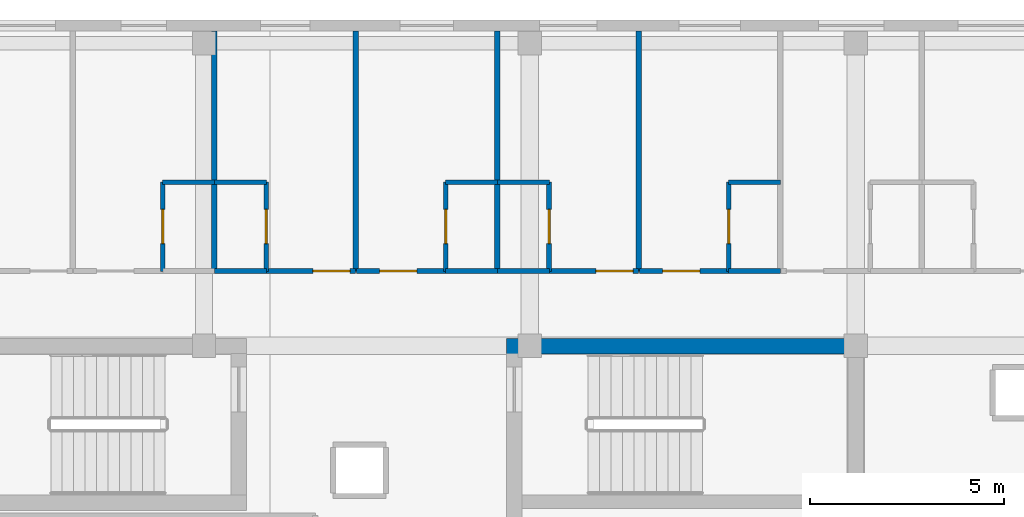
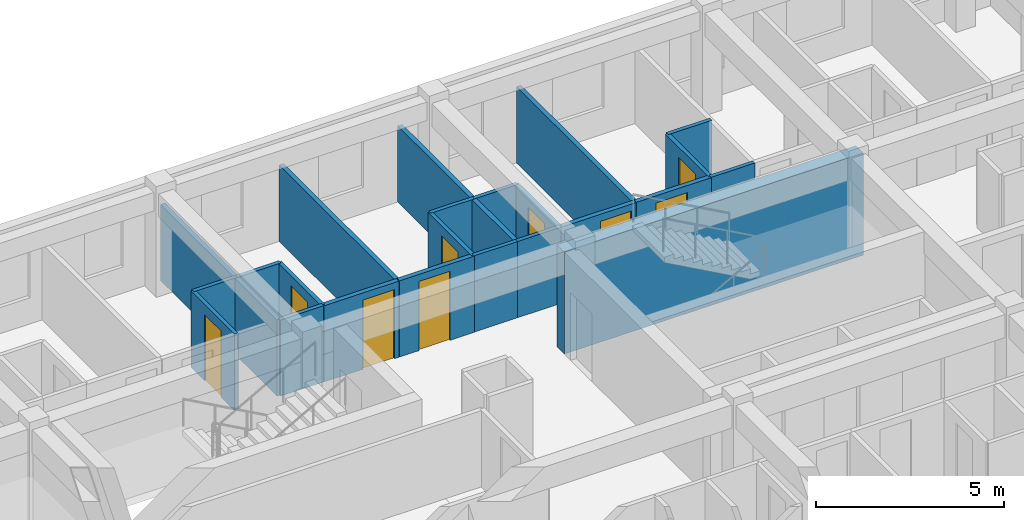
# One storey, part 6 of 10: 23 walls, 9 doors, 9 openings.
"""IFC4 building model written with IfcOpenShell, lengths in metres."""

from ifc_helpers import new_model, si_unit, direction, frame, frame_2d, origin, place, context, subcontext, project, spatial, rectangle, extrude, material, layer, layer_set, type_object, element, fill, save


model = new_model("IFC4")

# Units and contexts
model_context = context("Model", 3, precision=1e-05, world=origin(), true_north=direction((0.0, 1.0)))
body_context = subcontext(model_context, "Body", "Model", "MODEL_VIEW")
ifc_project = project(units=[si_unit("LENGTHUNIT", "METRE"), si_unit("AREAUNIT", "SQUARE_METRE"), si_unit("VOLUMEUNIT", "CUBIC_METRE"), si_unit("PLANEANGLEUNIT", "RADIAN"), si_unit("MASSUNIT", "GRAM", prefix="KILO")], contexts=[model_context])

# Site, building, storey
site_placement = place(None, origin())
site = spatial("IfcSite", under=ifc_project, at=site_placement, CompositionType="ELEMENT")
building_placement = place(site_placement, origin())
building = spatial("IfcBuilding", under=site, at=building_placement, Name="Zayran Congress Hotel", CompositionType="ELEMENT")
storey_placement = place(building_placement, frame((0.0, 0.0, 33.60009765625)))
storey = spatial("IfcBuildingStorey", under=building, at=storey_placement, Name="L08", CompositionType="ELEMENT", Elevation=33.60009765625)

# Wall
ifc_material_1 = material(Name="Concrete C40/50", Category="concrete")
ifc_layer_1 = layer(ifc_material_1, 0.39990234375)
ifc_layer_set_1 = layer_set([ifc_layer_1], Name="Concrete C40/50")
wall_type_1 = type_object("IfcWallType", Name="WL-SH-400", PredefinedType="SHEAR", material=ifc_layer_set_1)
wall_1_placement = place(storey_placement, frame((59.0, 25.5849609375, 0.0), z_axis=(0.0, 0.0, 1.0), x_axis=(-1.0, 0.0, 0.0)))
element("IfcWall", 1, at=wall_1_placement, inside=storey, type_object=wall_type_1, Name="CWALL-C-V5E-L08-N", PredefinedType="SHEAR", context=body_context, shape_type="SweptSolid", body=[
    extrude(rectangle(XDim=9.199951171875, YDim=0.39990234375, at=frame_2d((4.60009765625, 0.0))), origin(), (0.0, 0.0, 1.0), 3.31982421875),
])

# Wall, opening, door
ifc_material_2 = material(Name="Hospitality guestroom acoustic partition", Category="gypsum")
ifc_layer_2 = layer(ifc_material_2, 0.139892578125)
ifc_layer_set_2 = layer_set([ifc_layer_2], Name="Hospitality guestroom acoustic partition")
wall_type_2 = type_object("IfcWallType", Name="WL-PT-140", PredefinedType="PARTITIONING", material=ifc_layer_set_2)
wall_2_placement = place(storey_placement, frame((43.60107421875, 27.530029296875, 0.0), z_axis=(0.0, 0.0, 1.0), x_axis=(1.0, 0.0, 0.0)))
wall_2 = element("IfcWall", 2, at=wall_2_placement, inside=storey, type_object=wall_type_2, Name="IW-L08-0775", PredefinedType="PARTITIONING", context=body_context, shape_type="SweptSolid", body=[
    extrude(rectangle(XDim=2.306884765625, YDim=0.139892578125, at=frame_2d((1.1533203125, 0.0))), origin(), (0.0, 0.0, 1.0), 2.47998046875),
])
opening_1_placement = place(wall_2_placement, frame((1.20703125, 0.0, 0.0)))
opening_1 = element("IfcOpeningElement", 3, at=opening_1_placement, cuts=wall_2, Name="Opening DR-GR-03", PredefinedType="OPENING", context=body_context, shape_type="SweptSolid", body=[
    extrude(rectangle(XDim=0.9599609375, YDim=2.25, at=frame_2d((0.47998046875, 1.125))), frame((0.0, 0.079833984375, 0.0), z_axis=(0.0, -1.0, 0.0), x_axis=(1.0, 0.0, 0.0)), (0.0, 0.0, 1.0), 0.159912109375),
])
ifc_material_3 = material(Name="Executive walnut veneer entry door", Category="wood")
door_type_1 = type_object("IfcDoorType", Name="TP-DR-GR-03", OperationType="NOTDEFINED", PredefinedType="DOOR", material=ifc_material_3)
door_1_placement = place(opening_1_placement, origin())
door_1 = element("IfcDoor", 4, at=door_1_placement, inside=storey, type_object=door_type_1, Name="Guest Room L08-18 Door", OperationType="SINGLE_SWING_RIGHT", OverallHeight=2.25, OverallWidth=0.9599609375, PredefinedType="DOOR", context=body_context, shape_type="SweptSolid", body=[
    extrude(rectangle(XDim=0.9599609375, YDim=2.25, at=frame_2d((0.47998046875, 1.125))), frame((0.0, 0.02490234375, 0.0), z_axis=(0.0, -1.0, 0.0), x_axis=(1.0, 0.0, 0.0)), (0.0, 0.0, 1.0), 0.050048828125),
])
fill(opening_1, door_1)

wall_3_placement = place(storey_placement, frame((45.927978515625, 27.530029296875, 0.0), z_axis=(0.0, 0.0, 1.0), x_axis=(1.0, 0.0, 0.0)))
wall_3 = element("IfcWall", 5, at=wall_3_placement, inside=storey, type_object=wall_type_2, Name="IW-L08-0776", PredefinedType="PARTITIONING", context=body_context, shape_type="SweptSolid", body=[
    extrude(rectangle(XDim=2.30810546875, YDim=0.139892578125, at=frame_2d((1.154052734375, 0.0))), origin(), (0.0, 0.0, 1.0), 2.47998046875),
])
opening_2_placement = place(wall_3_placement, frame((0.597900390625, 0.0, 0.0)))
opening_2 = element("IfcOpeningElement", 6, at=opening_2_placement, cuts=wall_3, Name="Opening DR-GR-03", PredefinedType="OPENING", context=body_context, shape_type="SweptSolid", body=[
    extrude(rectangle(XDim=0.9599609375, YDim=2.25, at=frame_2d((0.47998046875, 1.125))), frame((0.0, 0.079833984375, 0.0), z_axis=(0.0, -1.0, 0.0), x_axis=(1.0, 0.0, 0.0)), (0.0, 0.0, 1.0), 0.159912109375),
])
door_2_placement = place(opening_2_placement, origin())
door_2 = element("IfcDoor", 7, at=door_2_placement, inside=storey, type_object=door_type_1, Name="Guest Room L08-19 Door", OperationType="SINGLE_SWING_LEFT", OverallHeight=2.25, OverallWidth=0.9599609375, PredefinedType="DOOR", context=body_context, shape_type="SweptSolid", body=[
    extrude(rectangle(XDim=0.9599609375, YDim=2.25, at=frame_2d((0.47998046875, 1.125))), frame((0.0, 0.02490234375, 0.0), z_axis=(0.0, -1.0, 0.0), x_axis=(1.0, 0.0, 0.0)), (0.0, 0.0, 1.0), 0.050048828125),
])
fill(opening_2, door_2)

wall_4_placement = place(storey_placement, frame((50.89599609375, 27.530029296875, 0.0), z_axis=(0.0, 0.0, 1.0), x_axis=(1.0, 0.0, 0.0)))
wall_4 = element("IfcWall", 8, at=wall_4_placement, inside=storey, type_object=wall_type_2, Name="IW-L08-0777", PredefinedType="PARTITIONING", context=body_context, shape_type="SweptSolid", body=[
    extrude(rectangle(XDim=2.30810546875, YDim=0.139892578125, at=frame_2d((1.154052734375, 0.0))), origin(), (0.0, 0.0, 1.0), 2.47998046875),
])
opening_3_placement = place(wall_4_placement, frame((1.2080078125, 0.0, 0.0)))
opening_3 = element("IfcOpeningElement", 9, at=opening_3_placement, cuts=wall_4, Name="Opening DR-GR-03", PredefinedType="OPENING", context=body_context, shape_type="SweptSolid", body=[
    extrude(rectangle(XDim=0.9599609375, YDim=2.25, at=frame_2d((0.47998046875, 1.125))), frame((0.0, 0.079833984375, 0.0), z_axis=(0.0, -1.0, 0.0), x_axis=(1.0, 0.0, 0.0)), (0.0, 0.0, 1.0), 0.159912109375),
])
door_3_placement = place(opening_3_placement, origin())
door_3 = element("IfcDoor", 10, at=door_3_placement, inside=storey, type_object=door_type_1, Name="Guest Room L08-20 Door", OperationType="SINGLE_SWING_RIGHT", OverallHeight=2.25, OverallWidth=0.9599609375, PredefinedType="DOOR", context=body_context, shape_type="SweptSolid", body=[
    extrude(rectangle(XDim=0.9599609375, YDim=2.25, at=frame_2d((0.47998046875, 1.125))), frame((0.0, 0.02490234375, 0.0), z_axis=(0.0, -1.0, 0.0), x_axis=(1.0, 0.0, 0.0)), (0.0, 0.0, 1.0), 0.050048828125),
])
fill(opening_3, door_3)

wall_5_placement = place(storey_placement, frame((53.22412109375, 27.530029296875, 0.0), z_axis=(0.0, 0.0, 1.0), x_axis=(1.0, 0.0, 0.0)))
wall_5 = element("IfcWall", 11, at=wall_5_placement, inside=storey, type_object=wall_type_2, Name="IW-L08-0778", PredefinedType="PARTITIONING", context=body_context, shape_type="SweptSolid", body=[
    extrude(rectangle(XDim=2.307861328125, YDim=0.139892578125, at=frame_2d((1.15380859375, 0.0))), origin(), (0.0, 0.0, 1.0), 2.47998046875),
])
opening_4_placement = place(wall_5_placement, frame((0.597900390625, 0.0, 0.0)))
opening_4 = element("IfcOpeningElement", 12, at=opening_4_placement, cuts=wall_5, Name="Opening DR-GR-03", PredefinedType="OPENING", context=body_context, shape_type="SweptSolid", body=[
    extrude(rectangle(XDim=0.9599609375, YDim=2.25, at=frame_2d((0.47998046875, 1.125))), frame((0.0, 0.079833984375, 0.0), z_axis=(0.0, -1.0, 0.0), x_axis=(1.0, 0.0, 0.0)), (0.0, 0.0, 1.0), 0.159912109375),
])
door_4_placement = place(opening_4_placement, origin())
door_4 = element("IfcDoor", 13, at=door_4_placement, inside=storey, type_object=door_type_1, Name="Guest Room L08-21 Door", OperationType="SINGLE_SWING_LEFT", OverallHeight=2.25, OverallWidth=0.9599609375, PredefinedType="DOOR", context=body_context, shape_type="SweptSolid", body=[
    extrude(rectangle(XDim=0.9599609375, YDim=2.25, at=frame_2d((0.47998046875, 1.125))), frame((0.0, 0.02490234375, 0.0), z_axis=(0.0, -1.0, 0.0), x_axis=(1.0, 0.0, 0.0)), (0.0, 0.0, 1.0), 0.050048828125),
])
fill(opening_4, door_4)

# Walls
for number, where, z_axis, x_axis, name in (
    (14, (42.260986328125, 27.52001953125, 0.0), (0.0, 0.0, 1.0), (0.0, 1.0, 0.0), "IW-L08-2108"),
    (15, (45.907958984375, 27.52001953125, 0.0), (0.0, 0.0, 1.0), (0.0, 1.0, 0.0), "IW-L08-2109"),
    (16, (49.555908203125, 27.52001953125, 0.0), (0.0, 0.0, 1.0), (0.0, 1.0, 0.0), "IW-L08-2110"),
    (17, (53.2041015625, 27.52001953125, 0.0), (0.0, 0.0, 1.0), (0.0, 1.0, 0.0), "IW-L08-2111"),
):
    element("IfcWall", number, at=place(storey_placement, frame(where, z_axis=z_axis, x_axis=x_axis)), inside=storey, type_object=wall_type_2, Name=name, PredefinedType="PARTITIONING", context=body_context, shape_type="SweptSolid", body=[
        extrude(rectangle(XDim=6.199951171875, YDim=0.139892578125, at=frame_2d((3.10009765625, 0.0))), origin(), (0.0, 0.0, 1.0), 2.47998046875),
    ])

# Wall, opening, door
ifc_material_4 = material(Name="Moisture-resistant bathroom partition", Category="gypsum")
ifc_layer_3 = layer(ifc_material_4, 0.1201171875)
ifc_layer_set_3 = layer_set([ifc_layer_3], Name="Moisture-resistant bathroom partition")
wall_type_3 = type_object("IfcWallType", Name="WL-PT-120", PredefinedType="PARTITIONING", material=ifc_layer_set_3)
wall_6_placement = place(storey_placement, frame((40.94091796875, 27.52001953125, 0.0), z_axis=(0.0, 0.0, 1.0), x_axis=(0.0, 1.0, 0.0)))
wall_6 = element("IfcWall", 18, at=wall_6_placement, inside=storey, type_object=wall_type_3, Name="IW-L08-0261", PredefinedType="PARTITIONING", context=body_context, shape_type="SweptSolid", body=[
    extrude(rectangle(XDim=2.31005859375, YDim=0.1201171875, at=frame_2d((1.155029296875, 0.0))), origin(), (0.0, 0.0, 1.0), 2.47998046875),
])
opening_5_placement = place(wall_6_placement, frame((0.715087890625, 0.0, 0.0)))
opening_5 = element("IfcOpeningElement", 19, at=opening_5_placement, cuts=wall_6, Name="Opening DR-BT-01", PredefinedType="OPENING", context=body_context, shape_type="SweptSolid", body=[
    extrude(rectangle(XDim=0.8798828125, YDim=2.14990234375, at=frame_2d((0.43994140625, 1.074951171875))), frame((0.0, 0.070068359375, 0.0), z_axis=(0.0, -1.0, 0.0), x_axis=(1.0, 0.0, 0.0)), (0.0, 0.0, 1.0), 0.14013671875),
])
ifc_material_5 = material(Name="Moisture-resistant oak en-suite door", Category="wood")
door_type_2 = type_object("IfcDoorType", Name="TP-DR-BT-01", OperationType="NOTDEFINED", PredefinedType="DOOR", material=ifc_material_5)
door_5_placement = place(opening_5_placement, origin())
door_5 = element("IfcDoor", 20, at=door_5_placement, inside=storey, type_object=door_type_2, Name="En-Suite Bathroom L08-17 Door", OperationType="SINGLE_SWING_RIGHT", OverallHeight=2.14990234375, OverallWidth=0.8798828125, PredefinedType="DOOR", context=body_context, shape_type="SweptSolid", body=[
    extrude(rectangle(XDim=0.8798828125, YDim=2.14990234375, at=frame_2d((0.43994140625, 1.074951171875))), frame((0.0, 0.02490234375, 0.0), z_axis=(0.0, -1.0, 0.0), x_axis=(1.0, 0.0, 0.0)), (0.0, 0.0, 1.0), 0.050048828125),
])
fill(opening_5, door_5)

wall_7_placement = place(storey_placement, frame((43.60107421875, 27.52001953125, 0.0), z_axis=(0.0, 0.0, 1.0), x_axis=(0.0, 1.0, 0.0)))
wall_7 = element("IfcWall", 21, at=wall_7_placement, inside=storey, type_object=wall_type_3, Name="IW-L08-0262", PredefinedType="PARTITIONING", context=body_context, shape_type="SweptSolid", body=[
    extrude(rectangle(XDim=2.31005859375, YDim=0.1201171875, at=frame_2d((1.155029296875, 0.0))), origin(), (0.0, 0.0, 1.0), 2.47998046875),
])
opening_6_placement = place(wall_7_placement, frame((0.715087890625, 0.0, 0.0)))
opening_6 = element("IfcOpeningElement", 22, at=opening_6_placement, cuts=wall_7, Name="Opening DR-BT-01", PredefinedType="OPENING", context=body_context, shape_type="SweptSolid", body=[
    extrude(rectangle(XDim=0.8798828125, YDim=2.14990234375, at=frame_2d((0.43994140625, 1.074951171875))), frame((0.0, 0.070068359375, 0.0), z_axis=(0.0, -1.0, 0.0), x_axis=(1.0, 0.0, 0.0)), (0.0, 0.0, 1.0), 0.14013671875),
])
door_6_placement = place(opening_6_placement, origin())
door_6 = element("IfcDoor", 23, at=door_6_placement, inside=storey, type_object=door_type_2, Name="En-Suite Bathroom L08-18 Door", OperationType="SINGLE_SWING_LEFT", OverallHeight=2.14990234375, OverallWidth=0.8798828125, PredefinedType="DOOR", context=body_context, shape_type="SweptSolid", body=[
    extrude(rectangle(XDim=0.8798828125, YDim=2.14990234375, at=frame_2d((0.43994140625, 1.074951171875))), frame((0.0, 0.02490234375, 0.0), z_axis=(0.0, -1.0, 0.0), x_axis=(1.0, 0.0, 0.0)), (0.0, 0.0, 1.0), 0.050048828125),
])
fill(opening_6, door_6)

wall_8_placement = place(storey_placement, frame((48.236083984375, 27.52001953125, 0.0), z_axis=(0.0, 0.0, 1.0), x_axis=(0.0, 1.0, 0.0)))
wall_8 = element("IfcWall", 24, at=wall_8_placement, inside=storey, type_object=wall_type_3, Name="IW-L08-0263", PredefinedType="PARTITIONING", context=body_context, shape_type="SweptSolid", body=[
    extrude(rectangle(XDim=2.31005859375, YDim=0.1201171875, at=frame_2d((1.155029296875, 0.0))), origin(), (0.0, 0.0, 1.0), 2.47998046875),
])
opening_7_placement = place(wall_8_placement, frame((0.715087890625, 0.0, 0.0)))
opening_7 = element("IfcOpeningElement", 25, at=opening_7_placement, cuts=wall_8, Name="Opening DR-BT-01", PredefinedType="OPENING", context=body_context, shape_type="SweptSolid", body=[
    extrude(rectangle(XDim=0.8798828125, YDim=2.14990234375, at=frame_2d((0.43994140625, 1.074951171875))), frame((0.0, 0.070068359375, 0.0), z_axis=(0.0, -1.0, 0.0), x_axis=(1.0, 0.0, 0.0)), (0.0, 0.0, 1.0), 0.14013671875),
])
door_7_placement = place(opening_7_placement, origin())
door_7 = element("IfcDoor", 26, at=door_7_placement, inside=storey, type_object=door_type_2, Name="En-Suite Bathroom L08-19 Door", OperationType="SINGLE_SWING_RIGHT", OverallHeight=2.14990234375, OverallWidth=0.8798828125, PredefinedType="DOOR", context=body_context, shape_type="SweptSolid", body=[
    extrude(rectangle(XDim=0.8798828125, YDim=2.14990234375, at=frame_2d((0.43994140625, 1.074951171875))), frame((0.0, 0.02490234375, 0.0), z_axis=(0.0, -1.0, 0.0), x_axis=(1.0, 0.0, 0.0)), (0.0, 0.0, 1.0), 0.050048828125),
])
fill(opening_7, door_7)

wall_9_placement = place(storey_placement, frame((50.89599609375, 27.52001953125, 0.0), z_axis=(0.0, 0.0, 1.0), x_axis=(0.0, 1.0, 0.0)))
wall_9 = element("IfcWall", 27, at=wall_9_placement, inside=storey, type_object=wall_type_3, Name="IW-L08-0264", PredefinedType="PARTITIONING", context=body_context, shape_type="SweptSolid", body=[
    extrude(rectangle(XDim=2.31005859375, YDim=0.1201171875, at=frame_2d((1.155029296875, 0.0))), origin(), (0.0, 0.0, 1.0), 2.47998046875),
])
opening_8_placement = place(wall_9_placement, frame((0.715087890625, 0.0, 0.0)))
opening_8 = element("IfcOpeningElement", 28, at=opening_8_placement, cuts=wall_9, Name="Opening DR-BT-01", PredefinedType="OPENING", context=body_context, shape_type="SweptSolid", body=[
    extrude(rectangle(XDim=0.8798828125, YDim=2.14990234375, at=frame_2d((0.43994140625, 1.074951171875))), frame((0.0, 0.070068359375, 0.0), z_axis=(0.0, -1.0, 0.0), x_axis=(1.0, 0.0, 0.0)), (0.0, 0.0, 1.0), 0.14013671875),
])
door_8_placement = place(opening_8_placement, origin())
door_8 = element("IfcDoor", 29, at=door_8_placement, inside=storey, type_object=door_type_2, Name="En-Suite Bathroom L08-20 Door", OperationType="SINGLE_SWING_LEFT", OverallHeight=2.14990234375, OverallWidth=0.8798828125, PredefinedType="DOOR", context=body_context, shape_type="SweptSolid", body=[
    extrude(rectangle(XDim=0.8798828125, YDim=2.14990234375, at=frame_2d((0.43994140625, 1.074951171875))), frame((0.0, 0.02490234375, 0.0), z_axis=(0.0, -1.0, 0.0), x_axis=(1.0, 0.0, 0.0)), (0.0, 0.0, 1.0), 0.050048828125),
])
fill(opening_8, door_8)

wall_10_placement = place(storey_placement, frame((55.531982421875, 27.52001953125, 0.0), z_axis=(0.0, 0.0, 1.0), x_axis=(0.0, 1.0, 0.0)))
wall_10 = element("IfcWall", 30, at=wall_10_placement, inside=storey, type_object=wall_type_3, Name="IW-L08-0265", PredefinedType="PARTITIONING", context=body_context, shape_type="SweptSolid", body=[
    extrude(rectangle(XDim=2.31005859375, YDim=0.1201171875, at=frame_2d((1.155029296875, 0.0))), origin(), (0.0, 0.0, 1.0), 2.47998046875),
])
opening_9_placement = place(wall_10_placement, frame((0.715087890625, 0.0, 0.0)))
opening_9 = element("IfcOpeningElement", 31, at=opening_9_placement, cuts=wall_10, Name="Opening DR-BT-01", PredefinedType="OPENING", context=body_context, shape_type="SweptSolid", body=[
    extrude(rectangle(XDim=0.8798828125, YDim=2.14990234375, at=frame_2d((0.43994140625, 1.074951171875))), frame((0.0, 0.070068359375, 0.0), z_axis=(0.0, -1.0, 0.0), x_axis=(1.0, 0.0, 0.0)), (0.0, 0.0, 1.0), 0.14013671875),
])
door_9_placement = place(opening_9_placement, origin())
door_9 = element("IfcDoor", 32, at=door_9_placement, inside=storey, type_object=door_type_2, Name="En-Suite Bathroom L08-21 Door", OperationType="SINGLE_SWING_RIGHT", OverallHeight=2.14990234375, OverallWidth=0.8798828125, PredefinedType="DOOR", context=body_context, shape_type="SweptSolid", body=[
    extrude(rectangle(XDim=0.8798828125, YDim=2.14990234375, at=frame_2d((0.43994140625, 1.074951171875))), frame((0.0, 0.02490234375, 0.0), z_axis=(0.0, -1.0, 0.0), x_axis=(1.0, 0.0, 0.0)), (0.0, 0.0, 1.0), 0.050048828125),
])
fill(opening_9, door_9)

# Walls
for number, where, z_axis, x_axis, name in (
    (33, (40.930908203125, 29.820068359375, 0.0), (0.0, 0.0, 1.0), (1.0, 0.0, 0.0), "IW-L08-1390"),
    (34, (42.27099609375, 27.530029296875, 0.0), (0.0, 0.0, 1.0), (1.0, 0.0, 0.0), "IW-L08-1391"),
    (35, (42.27099609375, 29.820068359375, 0.0), (0.0, 0.0, 1.0), (1.0, 0.0, 0.0), "IW-L08-1392"),
):
    element("IfcWall", number, at=place(storey_placement, frame(where, z_axis=z_axis, x_axis=x_axis)), inside=storey, type_object=wall_type_3, Name=name, PredefinedType="PARTITIONING", context=body_context, shape_type="SweptSolid", body=[
        extrude(rectangle(XDim=1.340087890625, YDim=0.1201171875, at=frame_2d((0.669921875, 0.0))), origin(), (0.0, 0.0, 1.0), 2.47998046875),
    ])
for number, where, z_axis, x_axis, name in (
    (36, (48.22607421875, 27.530029296875, 0.0), (0.0, 0.0, 1.0), (1.0, 0.0, 0.0), "IW-L08-1393"),
    (37, (48.22607421875, 29.820068359375, 0.0), (0.0, 0.0, 1.0), (1.0, 0.0, 0.0), "IW-L08-1394"),
):
    element("IfcWall", number, at=place(storey_placement, frame(where, z_axis=z_axis, x_axis=x_axis)), inside=storey, type_object=wall_type_3, Name=name, PredefinedType="PARTITIONING", context=body_context, shape_type="SweptSolid", body=[
        extrude(rectangle(XDim=1.33984375, YDim=0.1201171875, at=frame_2d((0.669921875, 0.0))), origin(), (0.0, 0.0, 1.0), 2.47998046875),
    ])
for number, where, z_axis, x_axis, name in (
    (38, (49.56591796875, 27.530029296875, 0.0), (0.0, 0.0, 1.0), (1.0, 0.0, 0.0), "IW-L08-1395"),
    (39, (49.56591796875, 29.820068359375, 0.0), (0.0, 0.0, 1.0), (1.0, 0.0, 0.0), "IW-L08-1396"),
    (40, (55.52197265625, 27.530029296875, 0.0), (0.0, 0.0, 1.0), (1.0, 0.0, 0.0), "IW-L08-1397"),
    (41, (55.52197265625, 29.820068359375, 0.0), (0.0, 0.0, 1.0), (1.0, 0.0, 0.0), "IW-L08-1398"),
):
    element("IfcWall", number, at=place(storey_placement, frame(where, z_axis=z_axis, x_axis=x_axis)), inside=storey, type_object=wall_type_3, Name=name, PredefinedType="PARTITIONING", context=body_context, shape_type="SweptSolid", body=[
        extrude(rectangle(XDim=1.340087890625, YDim=0.1201171875, at=frame_2d((0.669921875, 0.0))), origin(), (0.0, 0.0, 1.0), 2.47998046875),
    ])

save(model, "model.ifc")
